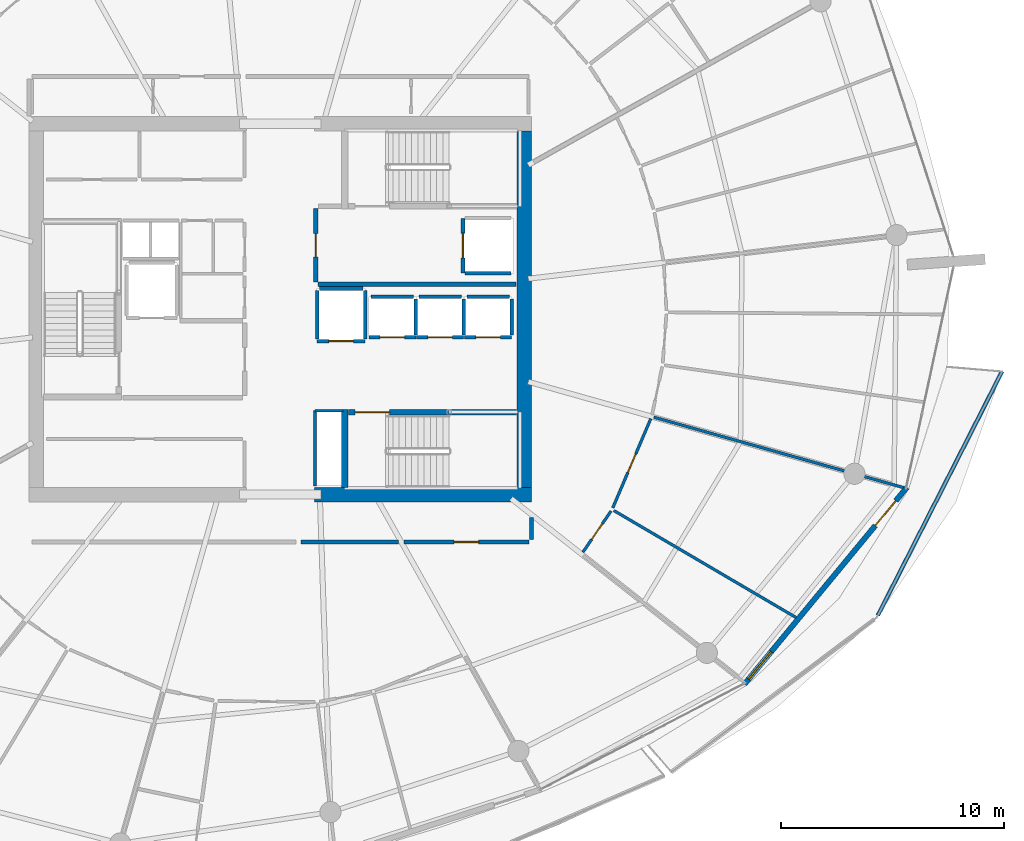
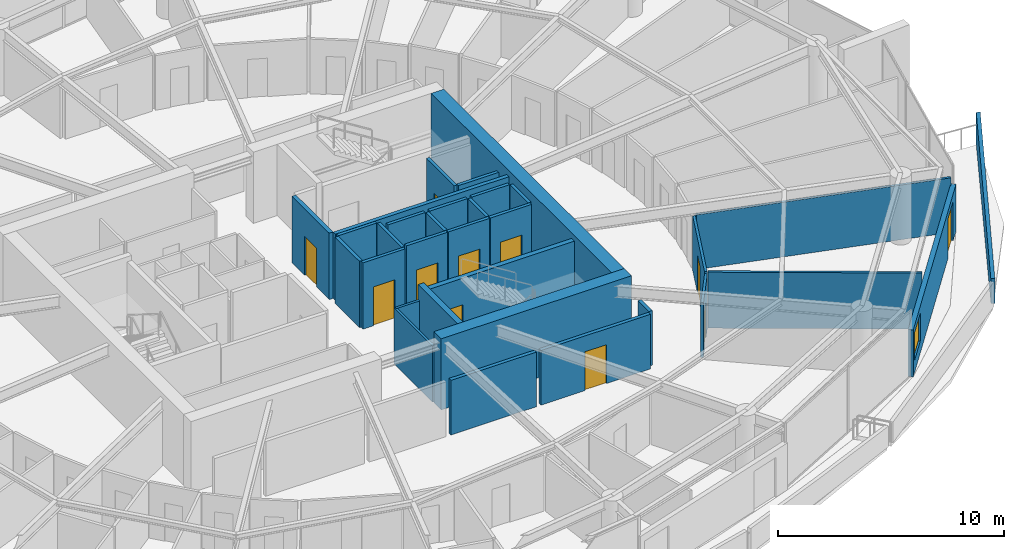
# One storey, part 21 of 31: 32 walls, 11 doors, 1 window, 12 openings.
"""IFC4 building model written with IfcOpenShell, lengths in metres."""

import ifcopenshell
import ifcopenshell.guid

model = None  # the IFC model being written
_history = None  # IfcOwnerHistory: only IFC2X3 demands one
_inside = {}  # id of a spatial element -> (the spatial element, [elements in it])
_under = {}  # id of a project, library or spatial element -> (it, [spatial elements below it])
_declared = {}  # id of a project -> (the project, [libraries it declares])
_typed = {}  # id of a type object -> (the type object, [elements of that type])
_made_of = {}  # id of a material, layer set ... -> (it, [elements and type objects made of it])


def new_model(schema):
    """Start an empty IFC model of exactly this schema.

    Asked for "IFC4X3", IfcOpenShell would pick the latest addendum, in which some entities
    have other attributes; the version numbers below select the first issue.
    IFC2X3 requires an IfcOwnerHistory on every rooted entity: one is made here for all.
    """
    global model, _history
    if schema == "IFC4X3":
        model = ifcopenshell.file(schema_version=(4, 3, 0, 0))
    else:
        model = ifcopenshell.file(schema=schema)
    _inside.clear()
    _under.clear()
    _declared.clear()
    _typed.clear()
    _made_of.clear()
    _history = None
    if model.schema == "IFC2X3":
        org = make("IfcOrganization", Name="unknown")
        user = make(
            "IfcPersonAndOrganization",
            ThePerson=make("IfcPerson", FamilyName="unknown"),
            TheOrganization=org,
        )
        app = make(
            "IfcApplication",
            ApplicationDeveloper=org,
            Version="unknown",
            ApplicationFullName="unknown",
            ApplicationIdentifier="unknown",
        )
        _history = make(
            "IfcOwnerHistory",
            OwningUser=user,
            OwningApplication=app,
            ChangeAction="ADDED",
            CreationDate=0,
        )
    return model


def make(cls, **values):
    """One entity of the class cls with the attributes given. An attribute that is None is left unset."""
    return model.create_entity(
        cls, **{name: value for name, value in values.items() if value is not None}
    )


def rooted(cls, **values):
    """An entity with a GlobalId (a new one), such as an element, a storey or a relation."""
    return make(cls, GlobalId=ifcopenshell.guid.new(), OwnerHistory=_history, **values)


def si_unit(unit_type, name, prefix=None):
    """IfcSIUnit, for example si_unit("LENGTHUNIT", "METRE", prefix="MILLI")."""
    return make("IfcSIUnit", UnitType=unit_type, Prefix=prefix, Name=name)


def assignment(units):
    """IfcUnitAssignment: the units of a project."""
    return None if units is None else make("IfcUnitAssignment", Units=units)


def point(xyz):
    """IfcCartesianPoint."""
    return None if xyz is None else make("IfcCartesianPoint", Coordinates=xyz)


def direction(xyz):
    """IfcDirection."""
    return None if xyz is None else make("IfcDirection", DirectionRatios=xyz)


def frame(location, z_axis=None, x_axis=None):
    """IfcAxis2Placement3D, a coordinate frame: its origin and axes. An axis left out is left unset."""
    return make(
        "IfcAxis2Placement3D",
        Location=point(location),
        Axis=direction(z_axis),
        RefDirection=direction(x_axis),
    )


def frame_2d(location, x_axis=None):
    """IfcAxis2Placement2D, a coordinate frame in the plane: its origin and x axis."""
    return make(
        "IfcAxis2Placement2D", Location=point(location), RefDirection=direction(x_axis)
    )


def origin():
    """The frame at (0, 0, 0) with its axes left unset."""
    return frame((0.0, 0.0, 0.0))


def place(relative_to, where):
    """IfcLocalPlacement: puts the frame where relative to a parent placement (None: the world)."""
    return make(
        "IfcLocalPlacement", PlacementRelTo=relative_to, RelativePlacement=where
    )


def context(
    kind, dimensions, precision=None, world=None, true_north=None, identifier=None
):
    """IfcGeometricRepresentationContext, for example the 3D "Model" context."""
    return make(
        "IfcGeometricRepresentationContext",
        ContextIdentifier=identifier,
        ContextType=kind,
        CoordinateSpaceDimension=dimensions,
        Precision=precision,
        WorldCoordinateSystem=world,
        TrueNorth=true_north,
    )


def subcontext(parent, identifier, kind, view, scale=None):
    """IfcGeometricRepresentationSubContext, for example "Body" below "Model"."""
    return make(
        "IfcGeometricRepresentationSubContext",
        ContextIdentifier=identifier,
        ContextType=kind,
        ParentContext=parent,
        TargetScale=scale,
        TargetView=view,
    )


def project(units=None, contexts=None):
    """IfcProject with its units and contexts."""
    return rooted(
        "IfcProject",
        Name="project",
        RepresentationContexts=contexts,
        UnitsInContext=assignment(units),
    )


def spatial(cls, under=None, at=None, **own):
    """A site, building, storey or space (cls), placed at a placement, below another one or the project."""
    s = rooted(cls, ObjectPlacement=at, **own)
    if under is not None:
        _under.setdefault(under.id(), (under, []))[1].append(s)
    return s


def polyline(points):
    """IfcPolyline through the points."""
    return make("IfcPolyline", Points=[point(p) for p in points])


def profile(cls, at=None, kind="AREA", **sizes):
    """A parametric profile (cls). Its sizes go by their IFC names, for example OverallWidth=200.0."""
    return make(cls, ProfileType=kind, Position=at, **sizes)


def rectangle(**sizes):
    """IfcRectangleProfileDef."""
    return profile("IfcRectangleProfileDef", **sizes)


def outline(outer, holes=None, kind="AREA"):
    """IfcArbitraryClosedProfileDef: a profile drawn as a closed curve; with holes, ...WithVoids."""
    if holes is None:
        return make("IfcArbitraryClosedProfileDef", ProfileType=kind, OuterCurve=outer)
    return make(
        "IfcArbitraryProfileDefWithVoids",
        ProfileType=kind,
        OuterCurve=outer,
        InnerCurves=holes,
    )


def extrude(swept, where, along, depth):
    """IfcExtrudedAreaSolid: the profile swept, set in the frame where, extruded along a direction by depth."""
    return make(
        "IfcExtrudedAreaSolid",
        SweptArea=swept,
        Position=where,
        ExtrudedDirection=direction(along),
        Depth=depth,
    )


def shape(context_of_items, identifier, shape_type, items):
    """IfcShapeRepresentation: the items that make up one representation, for example the "Body"."""
    return make(
        "IfcShapeRepresentation",
        ContextOfItems=context_of_items,
        RepresentationIdentifier=identifier,
        RepresentationType=shape_type,
        Items=items,
    )


def material(Name=None, Category=None):
    """IfcMaterial."""
    return make("IfcMaterial", Name=Name, Category=Category)


def layer(
    of_material, thickness, ventilated=None, Name=None, Category=None, Priority=None
):
    """IfcMaterialLayer: one layer of a wall or slab, of a material (None: an air gap)."""
    return make(
        "IfcMaterialLayer",
        Material=of_material,
        LayerThickness=thickness,
        IsVentilated=ventilated,
        Name=Name,
        Category=Category,
        Priority=Priority,
    )


def layer_set(layers, Name=None):
    """IfcMaterialLayerSet."""
    return make("IfcMaterialLayerSet", MaterialLayers=layers, LayerSetName=Name)


def made_of(thing, what):
    """Note that an element or type object is made of a material, layer set ...; save() writes the relation."""
    if what is not None:
        _made_of.setdefault(what.id(), (what, []))[1].append(thing)
    return thing


def type_object(cls, material=None, **own):
    """A type object (cls), such as IfcWallType, which elements share."""
    return made_of(rooted(cls, **own), material)


def element(
    cls,
    number,
    at=None,
    inside=None,
    cuts=None,
    type_object=None,
    material=None,
    context=None,
    identifier="Body",
    shape_type=None,
    held_by="IfcProductDefinitionShape",
    body=None,
    shapes=None,
    **own,
):
    """One element of the class cls, such as IfcWall. Its Tag is "e" and its number.

    at: its placement. inside: the storey or other place that contains it. cuts: it is an
    opening in that element (IfcRelVoidsElement). A single representation is given by context,
    identifier, shape_type and body (its items); several are given by shapes. held_by: the class
    of the entity that holds the representations. save() writes the other relations.
    """
    e = rooted(cls, Tag="e%d" % number, ObjectPlacement=at, **own)
    if body is not None:
        shapes = [shape(context, identifier, shape_type, body)]
    if shapes is not None:
        e.Representation = make(held_by, Representations=shapes)
    if inside is not None:
        _inside.setdefault(inside.id(), (inside, []))[1].append(e)
    if cuts is not None:
        rooted(
            "IfcRelVoidsElement", RelatingBuildingElement=cuts, RelatedOpeningElement=e
        )
    if type_object is not None:
        _typed.setdefault(type_object.id(), (type_object, []))[1].append(e)
    return made_of(e, material)


def fill(opening, filler):
    """IfcRelFillsElement: the door or window that sits in an opening."""
    return rooted(
        "IfcRelFillsElement",
        RelatingOpeningElement=opening,
        RelatedBuildingElement=filler,
    )


def aggregate(whole, parts):
    """IfcRelAggregates: a whole, such as a stair, and the parts it consists of."""
    return rooted("IfcRelAggregates", RelatingObject=whole, RelatedObjects=parts)


def save(model, path):
    """Write the relations noted so far, then the file.

    IfcRelAggregates (storeys below a building ...), IfcRelContainedInSpatialStructure (elements
    in a storey), IfcRelDefinesByType, IfcRelAssociatesMaterial and IfcRelDeclares: one each for
    every whole, place, type object, material and project.
    """
    for whole, parts in _under.values():
        aggregate(whole, parts)
    for where, things in _inside.values():
        rooted(
            "IfcRelContainedInSpatialStructure",
            RelatedElements=things,
            RelatingStructure=where,
        )
    for kind, things in _typed.values():
        rooted("IfcRelDefinesByType", RelatedObjects=things, RelatingType=kind)
    for what, things in _made_of.values():
        rooted("IfcRelAssociatesMaterial", RelatedObjects=things, RelatingMaterial=what)
    for by, libraries in _declared.values():
        rooted("IfcRelDeclares", RelatingContext=by, RelatedDefinitions=libraries)
    model.write(path)


model = new_model("IFC4")

# Units and contexts
model_context = context("Model", 3, precision=1e-05, world=origin(), true_north=direction((0.0, 1.0)))
body_context = subcontext(model_context, "Body", "Model", "MODEL_VIEW")
ifc_project = project(units=[si_unit("LENGTHUNIT", "METRE"), si_unit("AREAUNIT", "SQUARE_METRE"), si_unit("VOLUMEUNIT", "CUBIC_METRE"), si_unit("PLANEANGLEUNIT", "RADIAN"), si_unit("MASSUNIT", "GRAM", prefix="KILO")], contexts=[model_context])

# Site, building, storey
site_placement = place(None, origin())
site = spatial("IfcSite", under=ifc_project, at=site_placement, CompositionType="ELEMENT")
building_placement = place(site_placement, origin())
building = spatial("IfcBuilding", under=site, at=building_placement, Name="Kazma Halo Residences", CompositionType="ELEMENT")
storey_placement = place(building_placement, frame((0.0, 0.0, 240.550048828125)))
storey = spatial("IfcBuildingStorey", under=building, at=storey_placement, Name="L60", CompositionType="ELEMENT", Elevation=240.550048828125)

# Walls
ifc_material_1 = material(Name="White Concrete C50/60 Balustrade", Category="concrete")
ifc_layer_1 = layer(ifc_material_1, 0.179931640625)
ifc_layer_set_1 = layer_set([ifc_layer_1], Name="White Concrete C50/60 Balustrade")
wall_type_1 = type_object("IfcWallType", Name="WL-BAL-WAVE-180", PredefinedType="PARAPET", material=ifc_layer_set_1)
wall_1_placement = place(storey_placement, frame((75.241943359375, 28.254150390625, 0.0), z_axis=(0.0, 0.0, 1.0), x_axis=(0.45375182612, 0.891128094211, 0.0)))
element("IfcWall", 1, at=wall_1_placement, inside=storey, type_object=wall_type_1, Name="L60 white wave balustrade wall SE.2", PredefinedType="PARAPET", context=body_context, shape_type="SweptSolid", body=[
    extrude(outline(polyline([(0.0, 0.0), (12.2998046875, 0.0), (12.2998046875, 1.7470703125), (6.14990234375, 1.56201171875), (0.0, 1.347900390625), (0.0, 0.0)])), frame((0.0, 0.08984375, 0.0), z_axis=(0.0, -1.0, 0.0), x_axis=(1.0, 0.0, 0.0)), (0.0, 0.0, 1.0), 0.179931640625),
])
ifc_material_2 = material(Name="Concrete C60/75", Category="concrete")
ifc_layer_2 = layer(ifc_material_2, 0.64990234375)
ifc_layer_set_2 = layer_set([ifc_layer_2], Name="Concrete C60/75")
wall_type_2 = type_object("IfcWallType", Name="WL-CORE-650", PredefinedType="SHEAR", material=ifc_layer_set_2)
wall_2_placement = place(storey_placement, frame((49.949951171875, 33.675048828125, 0.0), z_axis=(0.0, 0.0, 1.0), x_axis=(1.0, 0.0, 0.0)))
element("IfcWall", 2, at=wall_2_placement, inside=storey, type_object=wall_type_2, Name="L60 central core shear wall SE", PredefinedType="SHEAR", context=body_context, shape_type="SweptSolid", body=[
    extrude(rectangle(XDim=9.75, YDim=0.64990234375, at=frame_2d((4.875, 0.0))), origin(), (0.0, 0.0, 1.0), 3.849853515625),
])
wall_3_placement = place(storey_placement, frame((59.375, 34.0, 0.0), z_axis=(0.0, 0.0, 1.0), x_axis=(0.0, 1.0, 0.0)))
element("IfcWall", 3, at=wall_3_placement, inside=storey, type_object=wall_type_2, Name="L60 central core shear wall E", PredefinedType="SHEAR", context=body_context, shape_type="SweptSolid", body=[
    extrude(rectangle(XDim=16.0, YDim=0.64990234375, at=frame_2d((8.0, 0.0))), origin(), (0.0, 0.0, 1.0), 3.849853515625),
])
ifc_layer_3 = layer(ifc_material_2, 0.280029296875)
ifc_layer_set_3 = layer_set([ifc_layer_3], Name="Concrete C60/75")
wall_type_3 = type_object("IfcWallType", Name="WL-CORE-ST-280", PredefinedType="SHEAR", material=ifc_layer_set_3)
wall_4_placement = place(storey_placement, frame((51.31005859375, 34.0, 0.0), z_axis=(0.0, 0.0, 1.0), x_axis=(0.0, 1.0, 0.0)))
element("IfcWall", 4, at=wall_4_placement, inside=storey, type_object=wall_type_3, Name="L60 stairwell bearing wall ST03-W", PredefinedType="SHEAR", context=body_context, shape_type="SweptSolid", body=[
    extrude(rectangle(XDim=3.5, YDim=0.280029296875, at=frame_2d((1.75, 0.0))), origin(), (0.0, 0.0, 1.0), 3.849853515625),
])

# Wall, opening, door
ifc_material_3 = material(Name="Acoustic Twin-Stud Gypsum")
ifc_layer_4 = layer(ifc_material_3, 0.179931640625)
ifc_layer_set_4 = layer_set([ifc_layer_4], Name="Acoustic Twin-Stud Gypsum")
wall_type_4 = type_object("IfcWallType", Name="WL-DEM-180", PredefinedType="PARTITIONING", material=ifc_layer_set_4)
wall_5_placement = place(storey_placement, frame((53.972412109375, 31.550048828125, 0.0), z_axis=(0.0, 0.0, 1.0), x_axis=(1.0, 0.0, 0.0)))
wall_5 = element("IfcWall", 5, at=wall_5_placement, inside=storey, type_object=wall_type_4, Name="L60 Apartment 2 entrance corridor wall", PredefinedType="PARTITIONING", context=body_context, shape_type="SweptSolid", body=[
    extrude(rectangle(XDim=5.607666015625, YDim=0.179931640625, at=frame_2d((2.8037109375, 0.0))), origin(), (0.0, 0.0, 1.0), 2.95703125),
])
opening_1_placement = place(wall_5_placement, frame((2.25390625, 0.0, 0.0)))
opening_1 = element("IfcOpeningElement", 6, at=opening_1_placement, cuts=wall_5, Name="Opening DA-1100", PredefinedType="OPENING", context=body_context, shape_type="SweptSolid", body=[
    extrude(rectangle(XDim=1.10009765625, YDim=2.10009765625, at=frame_2d((0.550048828125, 1.050048828125))), frame((0.0, 0.099853515625, 0.0), z_axis=(0.0, -1.0, 0.0), x_axis=(1.0, 0.0, 0.0)), (0.0, 0.0, 1.0), 0.199951171875),
])
ifc_material_4 = material(Name="Acoustic Walnut Fire Leaf")
door_type_1 = type_object("IfcDoorType", Name="DR-FD60-1100", OperationType="NOTDEFINED", PredefinedType="DOOR", material=ifc_material_4)
door_1_placement = place(opening_1_placement, origin())
door_1 = element("IfcDoor", 7, at=door_1_placement, inside=storey, type_object=door_type_1, Name="L60 Apartment 2 entrance fire door", OperationType="SINGLE_SWING_LEFT", OverallHeight=2.10009765625, OverallWidth=1.10009765625, PredefinedType="DOOR", context=body_context, shape_type="SweptSolid", body=[
    extrude(rectangle(XDim=1.10009765625, YDim=2.10009765625, at=frame_2d((0.550048828125, 1.050048828125))), frame((0.0, 0.02490234375, 0.0), z_axis=(0.0, -1.0, 0.0), x_axis=(1.0, 0.0, 0.0)), (0.0, 0.0, 1.0), 0.050048828125),
])
fill(opening_1, door_1)

# Walls
wall_6_placement = place(storey_placement, frame((59.699951171875, 31.669921875, 0.0), z_axis=(0.0, 0.0, 1.0), x_axis=(0.0, 1.0, 0.0)))
element("IfcWall", 8, at=wall_6_placement, inside=storey, type_object=wall_type_4, Name="L60 Apartment 2 entrance corridor wall", PredefinedType="PARTITIONING", context=body_context, shape_type="SweptSolid", body=[
    extrude(rectangle(XDim=0.986572265625, YDim=0.179931640625, at=frame_2d((0.4931640625, 0.0))), origin(), (0.0, 0.0, 1.0), 2.95703125),
])
wall_7_placement = place(storey_placement, frame((49.356689453125, 31.550048828125, 0.0), z_axis=(0.0, 0.0, 1.0), x_axis=(1.0, 0.0, 0.0)))
element("IfcWall", 9, at=wall_7_placement, inside=storey, type_object=wall_type_4, Name="L60 Apartment 2 inner wall 11", PredefinedType="PARTITIONING", context=body_context, shape_type="SweptSolid", body=[
    extrude(rectangle(XDim=4.375732421875, YDim=0.179931640625, at=frame_2d((2.18798828125, 0.0))), origin(), (0.0, 0.0, 1.0), 2.95703125),
])

# Wall, openings, door, window
ifc_material_5 = material(Name="Insulated Pale-Metal Composite Wall")
ifc_layer_5 = layer(ifc_material_5, 0.239990234375)
ifc_layer_set_5 = layer_set([ifc_layer_5], Name="Insulated Pale-Metal Composite Wall")
wall_type_5 = type_object("IfcWallType", Name="WL-EXT-HOST-240", PredefinedType="SOLIDWALL", material=ifc_layer_set_5)
wall_8_placement = place(storey_placement, frame((69.2578125, 25.177978515625, 0.0), z_axis=(0.0, 0.0, 1.0), x_axis=(0.636680093065, 0.771128043255, 0.0)))
wall_8 = element("IfcWall", 10, at=wall_8_placement, inside=storey, type_object=wall_type_5, Name="L60 exterior terrace-access wall B14", PredefinedType="SOLIDWALL", context=body_context, shape_type="SweptSolid", body=[
    extrude(rectangle(XDim=11.438232421875, YDim=0.239990234375, at=frame_2d((5.71923828125, 0.0))), origin(), (0.0, 0.0, 1.0), 2.5400390625),
])
opening_2_placement = place(wall_8_placement, frame((9.21826171875, 0.0, 0.0)))
opening_2 = element("IfcOpeningElement", 11, at=opening_2_placement, cuts=wall_8, Name="Opening DTR-1600", PredefinedType="OPENING", context=body_context, shape_type="SweptSolid", body=[
    extrude(rectangle(XDim=1.449951171875, YDim=2.14990234375, at=frame_2d((0.72509765625, 1.074951171875))), frame((0.0, 0.1298828125, 0.0), z_axis=(0.0, -1.0, 0.0), x_axis=(1.0, 0.0, 0.0)), (0.0, 0.0, 1.0), 0.260009765625),
])
opening_3_placement = place(wall_8_placement, frame((0.280029296875, 0.0, 0.64990234375)))
opening_3 = element("IfcOpeningElement", 12, at=opening_3_placement, cuts=wall_8, Name="Opening W-1800", PredefinedType="OPENING", context=body_context, shape_type="SweptSolid", body=[
    extrude(rectangle(XDim=1.60009765625, YDim=1.5, at=frame_2d((0.800048828125, 0.75))), frame((0.0, 0.1298828125, 0.0), z_axis=(0.0, -1.0, 0.0), x_axis=(1.0, 0.0, 0.0)), (0.0, 0.0, 1.0), 0.260009765625),
])
ifc_material_6 = material(Name="Aluminium AW-6063 T6 Double-Glazed Terrace Door", Category="aluminium")
door_type_2 = type_object("IfcDoorType", Name="DR-EXT-TERR-1600", OperationType="NOTDEFINED", PredefinedType="DOOR", material=ifc_material_6)
door_2_placement = place(opening_2_placement, origin())
door_2 = element("IfcDoor", 13, at=door_2_placement, inside=storey, type_object=door_type_2, Name="L60 B14 balcony terrace door", OperationType="DOUBLE_DOOR_SLIDING", OverallHeight=2.14990234375, OverallWidth=1.449951171875, PredefinedType="DOOR", context=body_context, shape_type="SweptSolid", body=[
    extrude(rectangle(XDim=1.449951171875, YDim=2.14990234375, at=frame_2d((0.72509765625, 1.074951171875))), frame((0.0, 0.02490234375, 0.0), z_axis=(0.0, -1.0, 0.0), x_axis=(1.0, 0.0, 0.0)), (0.0, 0.0, 1.0), 0.050048828125),
])
fill(opening_2, door_2)
ifc_material_7 = material(Name="Clear Triple-Silver Low-E Glass in Aluminium AW-6063 T6 Frame", Category="aluminium")
window_type = type_object("IfcWindowType", Name="WIN-RES-1800", PartitioningType="DOUBLE_PANEL_VERTICAL", PredefinedType="WINDOW", material=ifc_material_7)
window_placement = place(opening_3_placement, origin())
window = element("IfcWindow", 14, at=window_placement, inside=storey, type_object=window_type, Name="L60 B14 apartment window", OverallHeight=1.5, OverallWidth=1.60009765625, PartitioningType="SINGLE_PANEL", PredefinedType="WINDOW", context=body_context, shape_type="SweptSolid", body=[
    extrude(rectangle(XDim=1.60009765625, YDim=1.5, at=frame_2d((0.800048828125, 0.75))), frame((0.0, 0.030029296875, 0.0), z_axis=(0.0, -1.0, 0.0), x_axis=(1.0, 0.0, 0.0)), (0.0, 0.0, 1.0), 0.06005859375),
])
fill(opening_3, window)

# Wall, opening, door
ifc_material_8 = material(Name="Fire-Rated Blockwork Masonry", Category="masonry")
ifc_layer_6 = layer(ifc_material_8, 0.199951171875)
ifc_layer_set_6 = layer_set([ifc_layer_6], Name="Fire-Rated Blockwork Masonry")
wall_type_6 = type_object("IfcWallType", Name="WL-FLB-200", PredefinedType="PARTITIONING", material=ifc_layer_set_6)
wall_9_placement = place(storey_placement, frame((54.5048828125, 40.7451171875, 0.0), z_axis=(0.0, 0.0, 1.0), x_axis=(-1.0, 0.0, 0.0)))
wall_9 = element("IfcWall", 15, at=wall_9_placement, inside=storey, type_object=wall_type_6, Name="L60 lift shaft PH-01 front wall", PredefinedType="PARTITIONING", context=body_context, shape_type="SweptSolid", body=[
    extrude(rectangle(XDim=2.10986328125, YDim=0.159912109375, at=frame_2d((1.054931640625, 0.0))), origin(), (0.0, 0.0, 1.0), 3.58984375),
])
opening_4_placement = place(wall_9_placement, frame((0.5048828125, 0.0, 0.0)))
opening_4 = element("IfcOpeningElement", 16, at=opening_4_placement, cuts=wall_9, Name="Opening LD-PH-01", PredefinedType="OPENING", context=body_context, shape_type="SweptSolid", body=[
    extrude(rectangle(XDim=1.10009765625, YDim=2.10009765625, at=frame_2d((0.550048828125, 1.050048828125))), frame((0.0, 0.08984375, 0.0), z_axis=(0.0, -1.0, 0.0), x_axis=(1.0, 0.0, 0.0)), (0.0, 0.0, 1.0), 0.179931640625),
])
ifc_material_9 = material(Name="Stainless Steel Fire-Rated", Category="steel")
door_type_3 = type_object("IfcDoorType", Name="DR-LIFT-SLD-1100", OperationType="DOUBLE_DOOR_SLIDING", PredefinedType="DOOR", material=ifc_material_9)
door_3_placement = place(opening_4_placement, origin())
door_3 = element("IfcDoor", 17, at=door_3_placement, inside=storey, type_object=door_type_3, Name="L60 lift PH-01 sliding landing door", OperationType="DOUBLE_DOOR_SLIDING", OverallHeight=2.10009765625, OverallWidth=1.10009765625, PredefinedType="DOOR", context=body_context, shape_type="SweptSolid", body=[
    extrude(rectangle(XDim=1.10009765625, YDim=2.10009765625, at=frame_2d((0.550048828125, 1.050048828125))), frame((0.0, 0.02490234375, 0.0), z_axis=(0.0, -1.0, 0.0), x_axis=(1.0, 0.0, 0.0)), (0.0, 0.0, 1.0), 0.050048828125),
])
fill(opening_4, door_3)

# Walls
wall_10_placement = place(storey_placement, frame((54.5048828125, 40.844970703125, 0.0), z_axis=(0.0, 0.0, 1.0), x_axis=(0.0, 1.0, 0.0)))
element("IfcWall", 18, at=wall_10_placement, inside=storey, type_object=wall_type_6, Name="L60 lift shaft PH-01 side wall E", PredefinedType="PARTITIONING", context=body_context, shape_type="SweptSolid", body=[
    extrude(rectangle(XDim=1.610107421875, YDim=0.159912109375, at=frame_2d((0.80517578125, 0.0))), origin(), (0.0, 0.0, 1.0), 3.58984375),
])
wall_11_placement = place(storey_placement, frame((52.4951171875, 42.554931640625, 0.0), z_axis=(0.0, 0.0, 1.0), x_axis=(1.0, 0.0, 0.0)))
element("IfcWall", 19, at=wall_11_placement, inside=storey, type_object=wall_type_6, Name="L60 lift shaft PH-01 side wall N", PredefinedType="PARTITIONING", context=body_context, shape_type="SweptSolid", body=[
    extrude(rectangle(XDim=1.909912109375, YDim=0.159912109375, at=frame_2d((0.955078125, 0.0))), origin(), (0.0, 0.0, 1.0), 3.58984375),
])

# Wall, opening, door
wall_12_placement = place(storey_placement, frame((56.655029296875, 40.7451171875, 0.0), z_axis=(0.0, 0.0, 1.0), x_axis=(-1.0, 0.0, 0.0)))
wall_12 = element("IfcWall", 20, at=wall_12_placement, inside=storey, type_object=wall_type_6, Name="L60 lift shaft PH-02 front wall", PredefinedType="PARTITIONING", context=body_context, shape_type="SweptSolid", body=[
    extrude(rectangle(XDim=2.110107421875, YDim=0.159912109375, at=frame_2d((1.05517578125, 0.0))), origin(), (0.0, 0.0, 1.0), 3.58984375),
])
opening_5_placement = place(wall_12_placement, frame((0.5048828125, 0.0, 0.0)))
opening_5 = element("IfcOpeningElement", 21, at=opening_5_placement, cuts=wall_12, Name="Opening LD-PH-02", PredefinedType="OPENING", context=body_context, shape_type="SweptSolid", body=[
    extrude(rectangle(XDim=1.10009765625, YDim=2.10009765625, at=frame_2d((0.550048828125, 1.050048828125))), frame((0.0, 0.08984375, 0.0), z_axis=(0.0, -1.0, 0.0), x_axis=(1.0, 0.0, 0.0)), (0.0, 0.0, 1.0), 0.179931640625),
])
door_4_placement = place(opening_5_placement, origin())
door_4 = element("IfcDoor", 22, at=door_4_placement, inside=storey, type_object=door_type_3, Name="L60 lift PH-02 sliding landing door", OperationType="DOUBLE_DOOR_SLIDING", OverallHeight=2.10009765625, OverallWidth=1.10009765625, PredefinedType="DOOR", context=body_context, shape_type="SweptSolid", body=[
    extrude(rectangle(XDim=1.10009765625, YDim=2.10009765625, at=frame_2d((0.550048828125, 1.050048828125))), frame((0.0, 0.02490234375, 0.0), z_axis=(0.0, -1.0, 0.0), x_axis=(1.0, 0.0, 0.0)), (0.0, 0.0, 1.0), 0.050048828125),
])
fill(opening_5, door_4)

# Walls
wall_13_placement = place(storey_placement, frame((56.655029296875, 40.844970703125, 0.0), z_axis=(0.0, 0.0, 1.0), x_axis=(0.0, 1.0, 0.0)))
element("IfcWall", 23, at=wall_13_placement, inside=storey, type_object=wall_type_6, Name="L60 lift shaft PH-02 side wall E", PredefinedType="PARTITIONING", context=body_context, shape_type="SweptSolid", body=[
    extrude(rectangle(XDim=1.610107421875, YDim=0.159912109375, at=frame_2d((0.80517578125, 0.0))), origin(), (0.0, 0.0, 1.0), 3.58984375),
])
wall_14_placement = place(storey_placement, frame((54.64501953125, 42.554931640625, 0.0), z_axis=(0.0, 0.0, 1.0), x_axis=(1.0, 0.0, 0.0)))
element("IfcWall", 24, at=wall_14_placement, inside=storey, type_object=wall_type_6, Name="L60 lift shaft PH-02 side wall N", PredefinedType="PARTITIONING", context=body_context, shape_type="SweptSolid", body=[
    extrude(rectangle(XDim=1.909912109375, YDim=0.159912109375, at=frame_2d((0.955078125, 0.0))), origin(), (0.0, 0.0, 1.0), 3.58984375),
])

# Wall, opening, door
wall_15_placement = place(storey_placement, frame((58.804931640625, 40.7451171875, 0.0), z_axis=(0.0, 0.0, 1.0), x_axis=(-1.0, 0.0, 0.0)))
wall_15 = element("IfcWall", 25, at=wall_15_placement, inside=storey, type_object=wall_type_6, Name="L60 lift shaft PH-03 front wall", PredefinedType="PARTITIONING", context=body_context, shape_type="SweptSolid", body=[
    extrude(rectangle(XDim=2.10986328125, YDim=0.159912109375, at=frame_2d((1.054931640625, 0.0))), origin(), (0.0, 0.0, 1.0), 3.58984375),
])
opening_6_placement = place(wall_15_placement, frame((0.5048828125, 0.0, 0.0)))
opening_6 = element("IfcOpeningElement", 26, at=opening_6_placement, cuts=wall_15, Name="Opening LD-PH-03", PredefinedType="OPENING", context=body_context, shape_type="SweptSolid", body=[
    extrude(rectangle(XDim=1.10009765625, YDim=2.10009765625, at=frame_2d((0.550048828125, 1.050048828125))), frame((0.0, 0.08984375, 0.0), z_axis=(0.0, -1.0, 0.0), x_axis=(1.0, 0.0, 0.0)), (0.0, 0.0, 1.0), 0.179931640625),
])
door_5_placement = place(opening_6_placement, origin())
door_5 = element("IfcDoor", 27, at=door_5_placement, inside=storey, type_object=door_type_3, Name="L60 lift PH-03 sliding landing door", OperationType="DOUBLE_DOOR_SLIDING", OverallHeight=2.10009765625, OverallWidth=1.10009765625, PredefinedType="DOOR", context=body_context, shape_type="SweptSolid", body=[
    extrude(rectangle(XDim=1.10009765625, YDim=2.10009765625, at=frame_2d((0.550048828125, 1.050048828125))), frame((0.0, 0.02490234375, 0.0), z_axis=(0.0, -1.0, 0.0), x_axis=(1.0, 0.0, 0.0)), (0.0, 0.0, 1.0), 0.050048828125),
])
fill(opening_6, door_5)

# Walls
wall_16_placement = place(storey_placement, frame((58.804931640625, 40.844970703125, 0.0), z_axis=(0.0, 0.0, 1.0), x_axis=(0.0, 1.0, 0.0)))
element("IfcWall", 28, at=wall_16_placement, inside=storey, type_object=wall_type_6, Name="L60 lift shaft PH-03 side wall E", PredefinedType="PARTITIONING", context=body_context, shape_type="SweptSolid", body=[
    extrude(rectangle(XDim=1.610107421875, YDim=0.159912109375, at=frame_2d((0.80517578125, 0.0))), origin(), (0.0, 0.0, 1.0), 3.58984375),
])
wall_17_placement = place(storey_placement, frame((56.794921875, 42.554931640625, 0.0), z_axis=(0.0, 0.0, 1.0), x_axis=(1.0, 0.0, 0.0)))
element("IfcWall", 29, at=wall_17_placement, inside=storey, type_object=wall_type_6, Name="L60 lift shaft PH-03 side wall N", PredefinedType="PARTITIONING", context=body_context, shape_type="SweptSolid", body=[
    extrude(rectangle(XDim=1.91015625, YDim=0.159912109375, at=frame_2d((0.955078125, 0.0))), origin(), (0.0, 0.0, 1.0), 3.58984375),
])

# Wall, opening, door
wall_18_placement = place(storey_placement, frame((56.6201171875, 46.080078125, 0.0), z_axis=(0.0, 0.0, 1.0), x_axis=(0.0, -1.0, 0.0)))
wall_18 = element("IfcWall", 30, at=wall_18_placement, inside=storey, type_object=wall_type_6, Name="L60 lift shaft FL-02 front wall", PredefinedType="PARTITIONING", context=body_context, shape_type="SweptSolid", body=[
    extrude(rectangle(XDim=2.4599609375, YDim=0.159912109375, at=frame_2d((1.22998046875, 0.0))), origin(), (0.0, 0.0, 1.0), 3.58984375),
])
opening_7_placement = place(wall_18_placement, frame((0.679931640625, 0.0, 0.0)))
opening_7 = element("IfcOpeningElement", 31, at=opening_7_placement, cuts=wall_18, Name="Opening LD-FL-02", PredefinedType="OPENING", context=body_context, shape_type="SweptSolid", body=[
    extrude(rectangle(XDim=1.10009765625, YDim=2.10009765625, at=frame_2d((0.550048828125, 1.050048828125))), frame((0.0, 0.08984375, 0.0), z_axis=(0.0, -1.0, 0.0), x_axis=(1.0, 0.0, 0.0)), (0.0, 0.0, 1.0), 0.179931640625),
])
door_6_placement = place(opening_7_placement, origin())
door_6 = element("IfcDoor", 32, at=door_6_placement, inside=storey, type_object=door_type_3, Name="L60 lift FL-02 sliding landing door", OperationType="DOUBLE_DOOR_SLIDING", OverallHeight=2.10009765625, OverallWidth=1.10009765625, PredefinedType="DOOR", context=body_context, shape_type="SweptSolid", body=[
    extrude(rectangle(XDim=1.10009765625, YDim=2.10009765625, at=frame_2d((0.550048828125, 1.050048828125))), frame((0.0, 0.02490234375, 0.0), z_axis=(0.0, -1.0, 0.0), x_axis=(1.0, 0.0, 0.0)), (0.0, 0.0, 1.0), 0.050048828125),
])
fill(opening_7, door_6)

# Wall
wall_19_placement = place(storey_placement, frame((56.719970703125, 43.6201171875, 0.0), z_axis=(0.0, 0.0, 1.0), x_axis=(1.0, 0.0, 0.0)))
element("IfcWall", 33, at=wall_19_placement, inside=storey, type_object=wall_type_6, Name="L60 lift shaft FL-02 side wall S", PredefinedType="PARTITIONING", context=body_context, shape_type="SweptSolid", body=[
    extrude(rectangle(XDim=2.06005859375, YDim=0.159912109375, at=frame_2d((1.030029296875, 0.0))), origin(), (0.0, 0.0, 1.0), 3.58984375),
])

# Wall, opening, door
wall_20_placement = place(storey_placement, frame((52.22998046875, 40.570068359375, 0.0), z_axis=(0.0, 0.0, 1.0), x_axis=(-1.0, 0.0, 0.0)))
wall_20 = element("IfcWall", 34, at=wall_20_placement, inside=storey, type_object=wall_type_6, Name="L60 lift shaft SV-01 front wall", PredefinedType="PARTITIONING", context=body_context, shape_type="SweptSolid", body=[
    extrude(rectangle(XDim=2.159912109375, YDim=0.159912109375, at=frame_2d((1.080078125, 0.0))), origin(), (0.0, 0.0, 1.0), 3.58984375),
])
opening_8_placement = place(wall_20_placement, frame((0.530029296875, 0.0, 0.0)))
opening_8 = element("IfcOpeningElement", 35, at=opening_8_placement, cuts=wall_20, Name="Opening LD-SV-01", PredefinedType="OPENING", context=body_context, shape_type="SweptSolid", body=[
    extrude(rectangle(XDim=1.10009765625, YDim=2.10009765625, at=frame_2d((0.550048828125, 1.050048828125))), frame((0.0, 0.08984375, 0.0), z_axis=(0.0, -1.0, 0.0), x_axis=(1.0, 0.0, 0.0)), (0.0, 0.0, 1.0), 0.179931640625),
])
door_7_placement = place(opening_8_placement, origin())
door_7 = element("IfcDoor", 36, at=door_7_placement, inside=storey, type_object=door_type_3, Name="L60 lift SV-01 sliding landing door", OperationType="DOUBLE_DOOR_SLIDING", OverallHeight=2.10009765625, OverallWidth=1.10009765625, PredefinedType="DOOR", context=body_context, shape_type="SweptSolid", body=[
    extrude(rectangle(XDim=1.10009765625, YDim=2.10009765625, at=frame_2d((0.550048828125, 1.050048828125))), frame((0.0, 0.02490234375, 0.0), z_axis=(0.0, -1.0, 0.0), x_axis=(1.0, 0.0, 0.0)), (0.0, 0.0, 1.0), 0.050048828125),
])
fill(opening_8, door_7)

# Walls
for number, where, z_axis, x_axis, name in (
    (37, (52.22998046875, 40.669921875, 0.0), (0.0, 0.0, 1.0), (0.0, 1.0, 0.0), "L60 lift shaft SV-01 side wall E"),
    (38, (50.070068359375, 40.669921875, 0.0), (0.0, 0.0, 1.0), (0.0, 1.0, 0.0), "L60 lift shaft SV-01 side wall W"),
):
    element("IfcWall", number, at=place(storey_placement, frame(where, z_axis=z_axis, x_axis=x_axis)), inside=storey, type_object=wall_type_6, Name=name, PredefinedType="PARTITIONING", context=body_context, shape_type="SweptSolid", body=[
        extrude(rectangle(XDim=2.16015625, YDim=0.159912109375, at=frame_2d((1.080078125, 0.0))), origin(), (0.0, 0.0, 1.0), 3.58984375),
    ])
wall_21_placement = place(storey_placement, frame((50.169921875, 42.929931640625, 0.0), z_axis=(0.0, 0.0, 1.0), x_axis=(1.0, 0.0, 0.0)))
element("IfcWall", 39, at=wall_21_placement, inside=storey, type_object=wall_type_6, Name="L60 lift shaft SV-01 side wall N", PredefinedType="PARTITIONING", context=body_context, shape_type="SweptSolid", body=[
    extrude(rectangle(XDim=1.9599609375, YDim=0.159912109375, at=frame_2d((0.97998046875, 0.0))), origin(), (0.0, 0.0, 1.0), 3.58984375),
])
wall_22_placement = place(storey_placement, frame((50.1201171875, 43.1201171875, 0.0), z_axis=(0.0, 0.0, 1.0), x_axis=(1.0, 0.0, 0.0)))
element("IfcWall", 40, at=wall_22_placement, inside=storey, type_object=wall_type_6, Name="L60 east firefighting lobby south smoke wall", PredefinedType="PARTITIONING", context=body_context, shape_type="SweptSolid", body=[
    extrude(rectangle(XDim=8.8798828125, YDim=0.199951171875, at=frame_2d((4.43994140625, 0.0))), origin(), (0.0, 0.0, 1.0), 3.58984375),
])

# Wall, opening, door
wall_23_placement = place(storey_placement, frame((50.02001953125, 43.219970703125, 0.0), z_axis=(0.0, 0.0, 1.0), x_axis=(0.0, 1.0, 0.0)))
wall_23 = element("IfcWall", 41, at=wall_23_placement, inside=storey, type_object=wall_type_6, Name="L60 east firefighting lobby smoke wall", PredefinedType="PARTITIONING", context=body_context, shape_type="SweptSolid", body=[
    extrude(rectangle(XDim=3.300048828125, YDim=0.199951171875, at=frame_2d((1.64990234375, 0.0))), origin(), (0.0, 0.0, 1.0), 3.58984375),
])
opening_9_placement = place(wall_23_placement, frame((1.125, 0.0, 0.0)))
opening_9 = element("IfcOpeningElement", 42, at=opening_9_placement, cuts=wall_23, Name="Opening D-FLE", PredefinedType="OPENING", context=body_context, shape_type="SweptSolid", body=[
    extrude(rectangle(XDim=1.050048828125, YDim=2.10009765625, at=frame_2d((0.52490234375, 1.050048828125))), frame((0.0, 0.10986328125, 0.0), z_axis=(0.0, -1.0, 0.0), x_axis=(1.0, 0.0, 0.0)), (0.0, 0.0, 1.0), 0.219970703125),
])
ifc_material_10 = material(Name="Fire-Rated Steel Leaf", Category="steel")
door_type_4 = type_object("IfcDoorType", Name="DR-FD90-1050", OperationType="NOTDEFINED", PredefinedType="DOOR", material=ifc_material_10)
door_8_placement = place(opening_9_placement, origin())
door_8 = element("IfcDoor", 43, at=door_8_placement, inside=storey, type_object=door_type_4, Name="L60 east firefighting lobby smoke door", OperationType="SINGLE_SWING_RIGHT", OverallHeight=2.10009765625, OverallWidth=1.050048828125, PredefinedType="DOOR", context=body_context, shape_type="SweptSolid", body=[
    extrude(rectangle(XDim=1.050048828125, YDim=2.10009765625, at=frame_2d((0.52490234375, 1.050048828125))), frame((0.0, 0.02490234375, 0.0), z_axis=(0.0, -1.0, 0.0), x_axis=(1.0, 0.0, 0.0)), (0.0, 0.0, 1.0), 0.050048828125),
])
fill(opening_9, door_8)

# Walls
ifc_material_11 = material(Name="Gypsum Plasterboard Partition")
ifc_layer_7 = layer(ifc_material_11, 0.125)
ifc_layer_set_7 = layer_set([ifc_layer_7], Name="Gypsum Plasterboard Partition")
wall_type_7 = type_object("IfcWallType", Name="WL-PART-125", PredefinedType="PARTITIONING", material=ifc_layer_set_7)
wall_24_placement = place(storey_placement, frame((49.97998046875, 34.06005859375, 0.0), z_axis=(0.0, 0.0, 1.0), x_axis=(0.0, 1.0, 0.0)))
element("IfcWall", 44, at=wall_24_placement, inside=storey, type_object=wall_type_7, Name="L60 standpipe riser wall", PredefinedType="PARTITIONING", context=body_context, shape_type="SweptSolid", body=[
    extrude(rectangle(XDim=3.39990234375, YDim=0.125, at=frame_2d((1.699951171875, 0.0))), origin(), (0.0, 0.0, 1.0), 3.030029296875),
])
wall_25_placement = place(storey_placement, frame((49.97998046875, 37.43994140625, 0.0), z_axis=(0.0, 0.0, 1.0), x_axis=(1.0, 0.0, 0.0)))
element("IfcWall", 45, at=wall_25_placement, inside=storey, type_object=wall_type_7, Name="L60 standpipe riser north wall", PredefinedType="PARTITIONING", context=body_context, shape_type="SweptSolid", body=[
    extrude(rectangle(XDim=1.260009765625, YDim=0.125, at=frame_2d((0.6298828125, 0.0))), origin(), (0.0, 0.0, 1.0), 3.030029296875),
])
wall_26_placement = place(storey_placement, frame((63.39013671875, 32.96337890625, 0.0), z_axis=(0.0, 0.0, 1.0), x_axis=(0.862331921897, -0.506343417532, 0.0)))
element("IfcWall", 46, at=wall_26_placement, inside=storey, type_object=wall_type_7, Name="L60 Apartment 2 mid-bay wall 13", PredefinedType="PARTITIONING", context=body_context, shape_type="SweptSolid", body=[
    extrude(rectangle(XDim=9.477783203125, YDim=0.125, at=frame_2d((4.73876953125, 0.0))), origin(), (0.0, 0.0, 1.0), 3.030029296875),
])

# Wall, opening, door
wall_27_placement = place(storey_placement, frame((62.001220703125, 31.08935546875, 0.0), z_axis=(0.0, 0.0, 1.0), x_axis=(0.564052095913, 0.825739204044, 0.0)))
wall_27 = element("IfcWall", 47, at=wall_27_placement, inside=storey, type_object=wall_type_7, Name="L60 Apartment 2 Garden Wine Pantry Store hall wall", PredefinedType="PARTITIONING", context=body_context, shape_type="SweptSolid", body=[
    extrude(rectangle(XDim=2.24462890625, YDim=0.125, at=frame_2d((1.122314453125, 0.0))), origin(), (0.0, 0.0, 1.0), 2.95703125),
])
opening_10_placement = place(wall_27_placement, frame((0.697509765625, 0.0, 0.0)))
opening_10 = element("IfcOpeningElement", 48, at=opening_10_placement, cuts=wall_27, Name="Opening DB-900", PredefinedType="OPENING", context=body_context, shape_type="SweptSolid", body=[
    extrude(rectangle(XDim=0.85009765625, YDim=2.06005859375, at=frame_2d((0.425048828125, 1.030029296875))), frame((0.0, 0.072509765625, 0.0), z_axis=(0.0, -1.0, 0.0), x_axis=(1.0, 0.0, 0.0)), (0.0, 0.0, 1.0), 0.14501953125),
])
ifc_material_12 = material(Name="Moisture-Sealed Timber Leaf", Category="wood")
door_type_5 = type_object("IfcDoorType", Name="DR-BTH-900", OperationType="NOTDEFINED", PredefinedType="DOOR", material=ifc_material_12)
door_9_placement = place(opening_10_placement, origin())
door_9 = element("IfcDoor", 49, at=door_9_placement, inside=storey, type_object=door_type_5, Name="L60 Apartment 2 Garden Wine Pantry Store door", OperationType="SINGLE_SWING_RIGHT", OverallHeight=2.06005859375, OverallWidth=0.85009765625, PredefinedType="DOOR", context=body_context, shape_type="SweptSolid", body=[
    extrude(rectangle(XDim=0.85009765625, YDim=2.06005859375, at=frame_2d((0.425048828125, 1.030029296875))), frame((0.0, 0.02490234375, 0.0), z_axis=(0.0, -1.0, 0.0), x_axis=(1.0, 0.0, 0.0)), (0.0, 0.0, 1.0), 0.050048828125),
])
fill(opening_10, door_9)

wall_28_placement = place(storey_placement, frame((63.343994140625, 33.08251953125, 0.0), z_axis=(0.0, 0.0, 1.0), x_axis=(0.392064212371, 0.919937852998, 0.0)))
wall_28 = element("IfcWall", 50, at=wall_28_placement, inside=storey, type_object=wall_type_7, Name="L60 Apartment 2 Sky Formal Dining Room hall wall", PredefinedType="PARTITIONING", context=body_context, shape_type="SweptSolid", body=[
    extrude(rectangle(XDim=4.35400390625, YDim=0.125, at=frame_2d((2.177001953125, 0.0))), origin(), (0.0, 0.0, 1.0), 2.95703125),
])
opening_11_placement = place(wall_28_placement, frame((1.72705078125, 0.0, 0.0)))
opening_11 = element("IfcOpeningElement", 51, at=opening_11_placement, cuts=wall_28, Name="Opening DI-950", PredefinedType="OPENING", context=body_context, shape_type="SweptSolid", body=[
    extrude(rectangle(XDim=0.89990234375, YDim=2.080078125, at=frame_2d((0.449951171875, 1.0400390625))), frame((0.0, 0.072509765625, 0.0), z_axis=(0.0, -1.0, 0.0), x_axis=(1.0, 0.0, 0.0)), (0.0, 0.0, 1.0), 0.14501953125),
])
ifc_material_13 = material(Name="Timber Veneer Flush Leaf", Category="wood")
door_type_6 = type_object("IfcDoorType", Name="DR-INT-950", OperationType="NOTDEFINED", PredefinedType="DOOR", material=ifc_material_13)
door_10_placement = place(opening_11_placement, origin())
door_10 = element("IfcDoor", 52, at=door_10_placement, inside=storey, type_object=door_type_6, Name="L60 Apartment 2 Sky Formal Dining Room door", OperationType="SINGLE_SWING_LEFT", OverallHeight=2.080078125, OverallWidth=0.89990234375, PredefinedType="DOOR", context=body_context, shape_type="SweptSolid", body=[
    extrude(rectangle(XDim=0.89990234375, YDim=2.080078125, at=frame_2d((0.449951171875, 1.0400390625))), frame((0.0, 0.02490234375, 0.0), z_axis=(0.0, -1.0, 0.0), x_axis=(1.0, 0.0, 0.0)), (0.0, 0.0, 1.0), 0.050048828125),
])
fill(opening_11, door_10)

# Wall
wall_29_placement = place(storey_placement, frame((65.1865234375, 37.15283203125, 0.0), z_axis=(0.0, 0.0, 1.0), x_axis=(0.962455577867, -0.271439239301, 0.0)))
element("IfcWall", 53, at=wall_29_placement, inside=storey, type_object=wall_type_7, Name="L60 Apartment 2 radial partition 14", PredefinedType="PARTITIONING", context=body_context, shape_type="SweptSolid", body=[
    extrude(rectangle(XDim=11.638671875, YDim=0.125, at=frame_2d((5.8193359375, 0.0))), origin(), (0.0, 0.0, 1.0), 2.95703125),
])

# Wall, opening, door
ifc_material_14 = material(Name="Concrete C50/60", Category="concrete")
ifc_layer_8 = layer(ifc_material_14, 0.25)
ifc_layer_set_8 = layer_set([ifc_layer_8], Name="Concrete C50/60")
wall_type_8 = type_object("IfcWallType", Name="WL-SHF-250", PredefinedType="SOLIDWALL", material=ifc_layer_set_8)
wall_30_placement = place(storey_placement, frame((51.47998046875, 37.3798828125, 0.0), z_axis=(0.0, 0.0, 1.0), x_axis=(1.0, 0.0, 0.0)))
wall_30 = element("IfcWall", 54, at=wall_30_placement, inside=storey, type_object=wall_type_8, Name="L60 exit stair ST-03 enclosure wall", PredefinedType="SOLIDWALL", context=body_context, shape_type="SweptSolid", body=[
    extrude(rectangle(XDim=7.5400390625, YDim=0.25, at=frame_2d((3.77001953125, 0.0))), origin(), (0.0, 0.0, 1.0), 3.58984375),
])
opening_12_placement = place(wall_30_placement, frame((0.300048828125, 0.0, 0.0)))
opening_12 = element("IfcOpeningElement", 55, at=opening_12_placement, cuts=wall_30, Name="Opening D-ST3", PredefinedType="OPENING", context=body_context, shape_type="SweptSolid", body=[
    extrude(rectangle(XDim=1.550048828125, YDim=2.14990234375, at=frame_2d((0.77490234375, 1.074951171875))), frame((0.0, 0.135009765625, 0.0), z_axis=(0.0, -1.0, 0.0), x_axis=(1.0, 0.0, 0.0)), (0.0, 0.0, 1.0), 0.27001953125),
])
ifc_material_15 = material(Name="Fire-Rated Double Steel Leaf", Category="steel")
door_type_7 = type_object("IfcDoorType", Name="DR-FD90-1550", OperationType="NOTDEFINED", PredefinedType="DOOR", material=ifc_material_15)
door_11_placement = place(opening_12_placement, origin())
door_11 = element("IfcDoor", 56, at=door_11_placement, inside=storey, type_object=door_type_7, Name="L60 exit stair ST-03 fire door", OperationType="DOUBLE_DOOR_SINGLE_SWING", OverallHeight=2.14990234375, OverallWidth=1.550048828125, PredefinedType="DOOR", context=body_context, shape_type="SweptSolid", body=[
    extrude(rectangle(XDim=1.550048828125, YDim=2.14990234375, at=frame_2d((0.77490234375, 1.074951171875))), frame((0.0, 0.02490234375, 0.0), z_axis=(0.0, -1.0, 0.0), x_axis=(1.0, 0.0, 0.0)), (0.0, 0.0, 1.0), 0.050048828125),
])
fill(opening_12, door_11)

save(model, "model.ifc")
